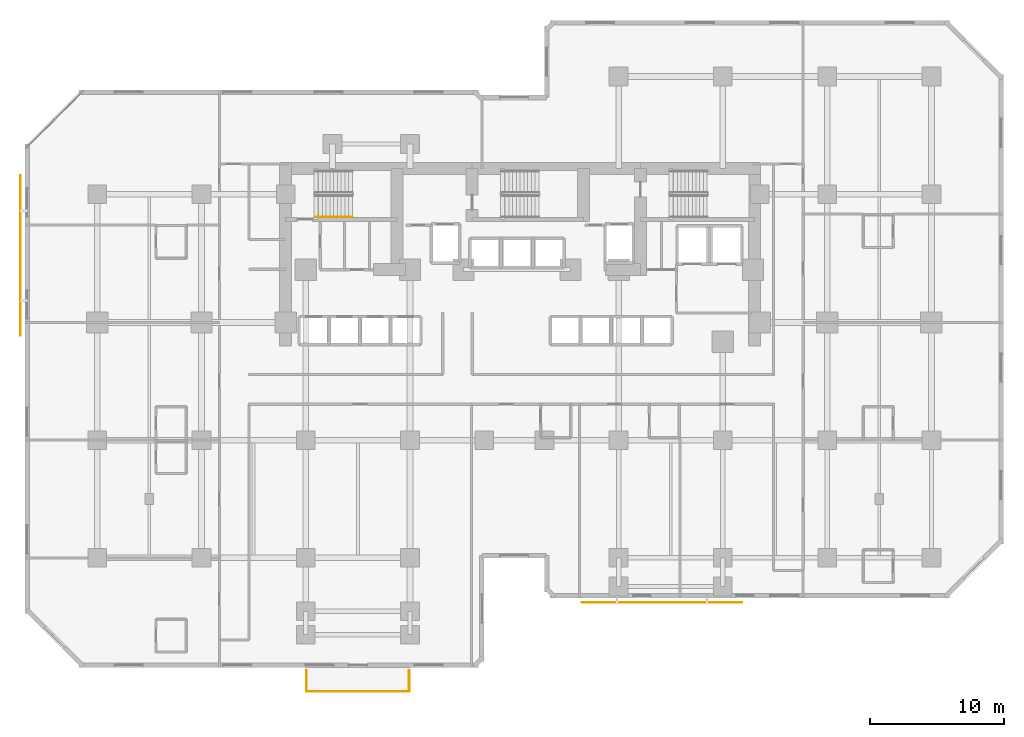
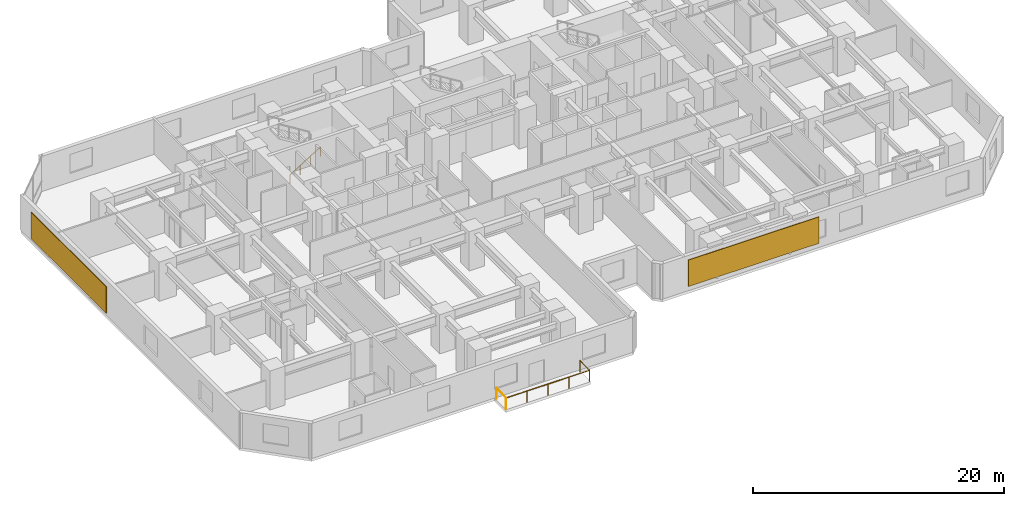
# One storey, part 10 of 11: 3 railings, 2 shading devices.
"""IFC4 building model written with IfcOpenShell, lengths in metres."""

from ifc_helpers import new_model, si_unit, direction, frame, origin, origin_2d, place, context, subcontext, project, spatial, rectangle, circle, extrude, material, layer, layer_set, type_object, element, save


model = new_model("IFC4")

# Units and contexts
model_context = context("Model", 3, precision=1e-05, world=origin(), true_north=direction((0.0, 1.0)))
body_context = subcontext(model_context, "Body", "Model", "MODEL_VIEW")
ifc_project = project(units=[si_unit("LENGTHUNIT", "METRE"), si_unit("AREAUNIT", "SQUARE_METRE"), si_unit("VOLUMEUNIT", "CUBIC_METRE"), si_unit("PLANEANGLEUNIT", "RADIAN"), si_unit("MASSUNIT", "GRAM", prefix="KILO")], contexts=[model_context])

# Site, building, storey
site_placement = place(None, origin())
site = spatial("IfcSite", under=ifc_project, at=site_placement, CompositionType="ELEMENT")
building_placement = place(site_placement, origin())
building = spatial("IfcBuilding", under=site, at=building_placement, Name="Kestravale Grand Hotel", CompositionType="ELEMENT")
storey_placement = place(building_placement, frame((0.0, 0.0, 71.60009765625)))
storey = spatial("IfcBuildingStorey", under=building, at=storey_placement, Name="L17", CompositionType="ELEMENT", Elevation=71.60009765625)

# Railings
ifc_material_1 = material(Name="Champagne-bronze stainless steel and laminated glass guard", Category="steel")
railing_type_1 = type_object("IfcRailingType", Name="RL-EXT-1100", PredefinedType="GUARDRAIL", material=ifc_material_1)
railing_1_placement = place(storey_placement, frame((23.4599609375, 1.2099609375, 0.0)))
element("IfcRailing", 1, at=railing_1_placement, inside=storey, type_object=railing_type_1, Name="L17 outdoor terrace guard 1", PredefinedType="GUARDRAIL", context=body_context, shape_type="SweptSolid", body=[
    extrude(circle(Radius=0.02392578125, at=origin_2d()), frame((0.0, 0.0, 1.09619140625), z_axis=(0.0, 1.0, 0.0), x_axis=(-1.0, 0.0, 0.0)), (0.0, 0.0, 1.0), 1.570068359375),
    extrude(circle(Radius=0.02099609375, at=origin_2d()), origin(), (0.0, 0.0, 1.0), 1.072021484375),
    extrude(circle(Radius=0.02099609375, at=origin_2d()), frame((0.0, 1.570068359375, 0.0)), (0.0, 0.0, 1.0), 1.072021484375),
])
railing_2_placement = place(storey_placement, frame((31.139892578125, 2.780029296875, 0.0)))
element("IfcRailing", 2, at=railing_2_placement, inside=storey, type_object=railing_type_1, Name="L17 outdoor terrace guard 2", PredefinedType="GUARDRAIL", context=body_context, shape_type="SweptSolid", body=[
    extrude(circle(Radius=0.02392578125, at=origin_2d()), frame((0.0, 0.0, 1.09619140625), z_axis=(0.0, -1.0, 0.0), x_axis=(1.0, 0.0, 0.0)), (0.0, 0.0, 1.0), 1.570068359375),
    extrude(circle(Radius=0.02392578125, at=origin_2d()), frame((0.0, -1.570068359375, 1.09619140625), z_axis=(-1.0, 0.0, 0.0), x_axis=(0.0, -1.0, 0.0)), (0.0, 0.0, 1.0), 7.679931640625),
    extrude(circle(Radius=0.02099609375, at=origin_2d()), origin(), (0.0, 0.0, 1.0), 1.072021484375),
    extrude(circle(Radius=0.02099609375, at=origin_2d()), frame((0.0, -1.570068359375, 0.0)), (0.0, 0.0, 1.0), 1.072021484375),
    extrude(circle(Radius=0.02099609375, at=origin_2d()), frame((-1.919921875, -1.570068359375, 0.0)), (0.0, 0.0, 1.0), 1.072021484375),
    extrude(circle(Radius=0.02099609375, at=origin_2d()), frame((-3.83984375, -1.570068359375, 0.0)), (0.0, 0.0, 1.0), 1.072021484375),
    extrude(circle(Radius=0.02099609375, at=origin_2d()), frame((-5.760009765625, -1.570068359375, 0.0)), (0.0, 0.0, 1.0), 1.072021484375),
    extrude(circle(Radius=0.02099609375, at=origin_2d()), frame((-7.679931640625, -1.570068359375, 0.0)), (0.0, 0.0, 1.0), 1.072021484375),
])
ifc_material_2 = material(Name="Brushed stainless steel wall handrail", Category="steel")
railing_type_2 = type_object("IfcRailingType", Name="RL-ST-HND900", PredefinedType="HANDRAIL", material=ifc_material_2)
railing_3_placement = place(storey_placement, frame((24.080078125, 36.699951171875, 0.172607421875)))
element("IfcRailing", 3, at=railing_3_placement, inside=storey, type_object=railing_type_2, Name="L17 ST-1 stair handrail 1", PredefinedType="HANDRAIL", context=body_context, shape_type="SweptSolid", body=[
    extrude(circle(Radius=0.02392578125, at=origin_2d()), frame((0.0, 0.0, 0.8759765625), z_axis=(0.851069175582, 0.0, 0.525053576669), x_axis=(0.0, 1.0, 0.0)), (0.0, 0.0, 1.0), 3.289794921875),
    extrude(circle(Radius=0.02099609375, at=origin_2d()), origin(), (0.0, 0.0, 1.0), 0.851806640625),
    extrude(circle(Radius=0.02099609375, at=origin_2d()), frame((0.933349609375, 0.0, 0.57568359375)), (0.0, 0.0, 1.0), 0.851806640625),
    extrude(circle(Radius=0.02099609375, at=origin_2d()), frame((1.866455078125, 0.0, 1.151611328125)), (0.0, 0.0, 1.0), 0.851806640625),
    extrude(circle(Radius=0.02099609375, at=origin_2d()), frame((2.7998046875, 0.0, 1.727294921875)), (0.0, 0.0, 1.0), 0.851806640625),
])

# Shading devices
ifc_material_3 = material(Name="Perforated champagne-bronze aluminium and ceramic solar screen", Category="aluminium")
ifc_layer = layer(ifc_material_3, 0.06494140625)
ifc_layer_set = layer_set([ifc_layer], Name="SHD-SCR-CHEV")
shading_device_type = type_object("IfcShadingDeviceType", Name="SHD-SCR-CHEV", PredefinedType="USERDEFINED", material=ifc_layer_set)
for number, where, z_axis, x_axis, name in (
    (4, (50.050048828125, 7.860107421875, 0.69970703125), (0.0, 0.0, 1.0), (1.0, 0.0, 0.0), "L17 Perforated bronze ceramic chevron solar screen SCR-L17-07"),
    (5, (2.06005859375, 33.800048828125, 0.69970703125), (0.0, 0.0, 1.0), (0.0, -1.0, 0.0), "L17 Perforated bronze ceramic chevron solar screen SCR-L17-19"),
):
    element("IfcShadingDevice", number, at=place(storey_placement, frame(where, z_axis=z_axis, x_axis=x_axis)), inside=storey, type_object=shading_device_type, Name=name, ObjectType="SCREEN", PredefinedType="USERDEFINED", context=body_context, shape_type="SweptSolid", body=[
        extrude(rectangle(XDim=12.0, YDim=0.06494140625, at=origin_2d()), origin(), (0.0, 0.0, 1.0), 2.570068359375),
    ])

save(model, "model.ifc")
